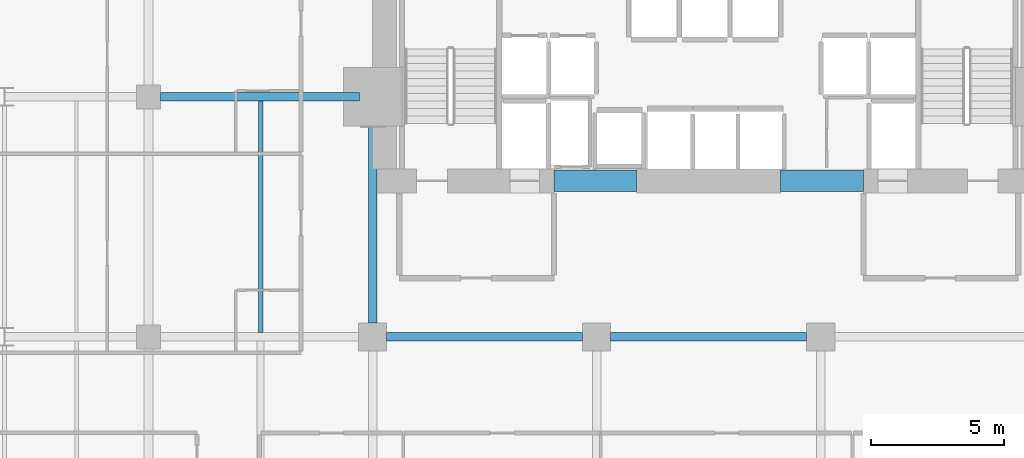
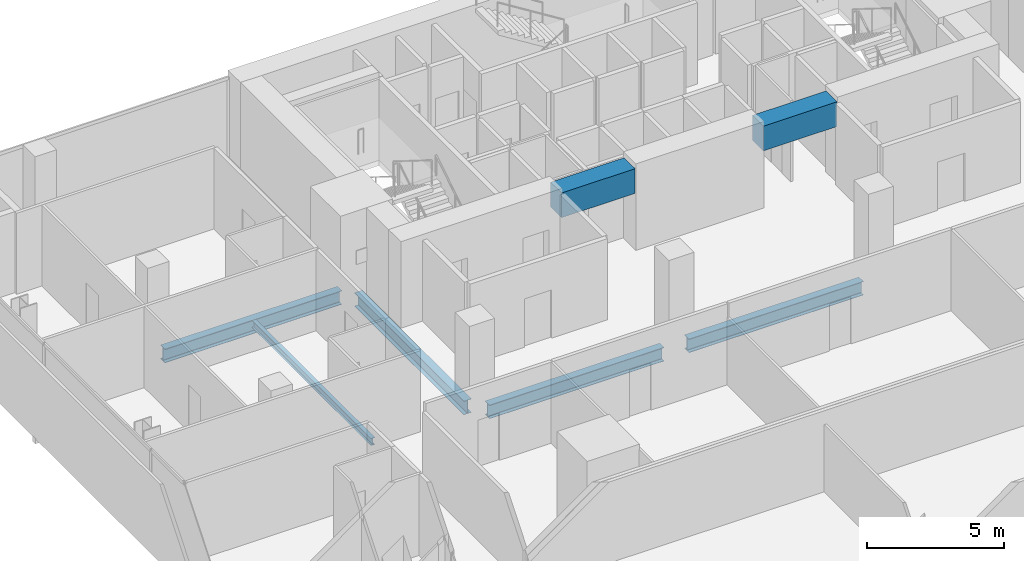
# One storey, part 24 of 40: 7 beams.
"""IFC4 building model written with IfcOpenShell, lengths in metres."""

from ifc_helpers import new_model, si_unit, direction, frame, origin, origin_2d, place, context, subcontext, project, spatial, rectangle, i_section, extrude, material, material_profile, profile_set, type_object, element, save


model = new_model("IFC4")

# Units and contexts
model_context = context("Model", 3, precision=1e-05, world=origin(), true_north=direction((0.0, 1.0)))
body_context = subcontext(model_context, "Body", "Model", "MODEL_VIEW")
ifc_project = project(units=[si_unit("LENGTHUNIT", "METRE"), si_unit("AREAUNIT", "SQUARE_METRE"), si_unit("VOLUMEUNIT", "CUBIC_METRE"), si_unit("PLANEANGLEUNIT", "RADIAN"), si_unit("MASSUNIT", "GRAM", prefix="KILO")], contexts=[model_context])

# Site, building, storey
site_placement = place(None, origin())
site = spatial("IfcSite", under=ifc_project, at=site_placement, CompositionType="ELEMENT")
building_placement = place(site_placement, origin())
building = spatial("IfcBuilding", under=site, at=building_placement, Name="Maruvema Waterfront Hotel and Observation Tower", CompositionType="ELEMENT")
storey_placement = place(building_placement, frame((0.0, 0.0, 103.949951171875)))
storey = spatial("IfcBuildingStorey", under=building, at=storey_placement, Name="L25", CompositionType="ELEMENT", Elevation=103.949951171875)

# Beams
ifc_material_1 = material(Name="Concrete C60/75", Category="concrete")
ifc_material_profile_1 = material_profile(ifc_material_1, rectangle(XDim=0.800048828125, YDim=1.10009765625, at=origin_2d()), Name="CB800x1100")
ifc_profile_set_1 = profile_set([ifc_material_profile_1], Name="Concrete C60/75")
beam_type_1 = type_object("IfcBeamType", Name="Core Coupling Lintel Beam CB800x1100", PredefinedType="LINTEL", material=ifc_profile_set_1)
for number, where, z_axis, x_axis, name in (
    (1, (32.0, 41.85009765625, 3.06005859375), (1.0, 0.0, 0.0), (0.0, 1.0, 0.0), "L25 Core Coupling Lintel Beam West"),
    (2, (40.5, 41.85009765625, 3.06005859375), (1.0, 0.0, 0.0), (0.0, 1.0, 0.0), "L25 Core Coupling Lintel Beam East"),
):
    element("IfcBeam", number, at=place(storey_placement, frame(where, z_axis=z_axis, x_axis=x_axis)), inside=storey, type_object=beam_type_1, Name=name, PredefinedType="LINTEL", context=body_context, shape_type="SweptSolid", body=[
        extrude(rectangle(XDim=0.800048828125, YDim=1.10009765625, at=origin_2d()), origin(), (0.0, 0.0, 1.0), 3.10009765625),
    ])
ifc_material_2 = material(Name="Steel ASTM A572 Grade 50", Category="steel")
ifc_material_profile_2 = material_profile(ifc_material_2, i_section(OverallWidth=0.323974609375, OverallDepth=0.611083984375, WebThickness=0.0126953125, FlangeThickness=0.01904296875, FilletRadius=0.01806640625, at=origin_2d()), Name="W610x155.0")
ifc_profile_set_2 = profile_set([ifc_material_profile_2], Name="Steel ASTM A572 Grade 50")
beam_type_2 = type_object("IfcBeamType", Name="Primary Floor Girder W610x155.0", PredefinedType="BEAM", material=ifc_profile_set_2)
beam_1_placement = place(storey_placement, frame((25.72509765625, 36.0, -0.54541015625), z_axis=(1.0, 0.0, 0.0), x_axis=(0.0, 1.0, 0.0)))
element("IfcBeam", 3, at=beam_1_placement, inside=storey, type_object=beam_type_2, Name="L25 Floor Girder EW-27", PredefinedType="BEAM", context=body_context, shape_type="SweptSolid", body=[
    extrude(i_section(OverallWidth=0.323974609375, OverallDepth=0.611083984375, WebThickness=0.0126953125, FlangeThickness=0.01904296875, FilletRadius=0.01806640625, at=origin_2d()), origin(), (0.0, 0.0, 1.0), 7.349853515625),
])
beam_2_placement = place(storey_placement, frame((34.125, 36.0, -0.54541015625), z_axis=(1.0, 0.0, 0.0), x_axis=(0.0, 1.0, 0.0)))
element("IfcBeam", 4, at=beam_2_placement, inside=storey, type_object=beam_type_2, Name="L25 Floor Girder EW-28", PredefinedType="BEAM", context=body_context, shape_type="SweptSolid", body=[
    extrude(i_section(OverallWidth=0.323974609375, OverallDepth=0.611083984375, WebThickness=0.0126953125, FlangeThickness=0.01904296875, FilletRadius=0.01806640625, at=origin_2d()), origin(), (0.0, 0.0, 1.0), 7.35009765625),
])
beam_3_placement = place(storey_placement, frame((17.25, 45.0, -0.54541015625), z_axis=(1.0, 0.0, 0.0), x_axis=(0.0, 1.0, 0.0)))
element("IfcBeam", 5, at=beam_3_placement, inside=storey, type_object=beam_type_2, Name="L25 Floor Girder EW-33", PredefinedType="BEAM", context=body_context, shape_type="SweptSolid", body=[
    extrude(i_section(OverallWidth=0.323974609375, OverallDepth=0.611083984375, WebThickness=0.0126953125, FlangeThickness=0.01904296875, FilletRadius=0.01806640625, at=origin_2d()), origin(), (0.0, 0.0, 1.0), 7.449951171875),
])
beam_4_placement = place(storey_placement, frame((25.199951171875, 36.52490234375, -0.54541015625), z_axis=(0.0, 1.0, 0.0), x_axis=(-1.0, 0.0, 0.0)))
element("IfcBeam", 6, at=beam_4_placement, inside=storey, type_object=beam_type_2, Name="L25 Floor Girder NS-15", PredefinedType="BEAM", context=body_context, shape_type="SweptSolid", body=[
    extrude(i_section(OverallWidth=0.323974609375, OverallDepth=0.611083984375, WebThickness=0.0126953125, FlangeThickness=0.01904296875, FilletRadius=0.01806640625, at=origin_2d()), origin(), (0.0, 0.0, 1.0), 7.97509765625),
])
ifc_material_3 = material(Name="Steel ASTM A572 Grade 50", Category="steel")
ifc_material_profile_3 = material_profile(ifc_material_3, i_section(OverallWidth=0.1669921875, OverallDepth=0.31689453125, WebThickness=0.007568359375, FlangeThickness=0.01318359375, FilletRadius=0.012939453125, at=origin_2d()), Name="W310x52.0")
ifc_profile_set_3 = profile_set([ifc_material_profile_3], Name="Steel ASTM A572 Grade 50")
beam_type_3 = type_object("IfcBeamType", Name="Secondary Floor Joist W310x52.0", PredefinedType="JOIST", material=ifc_profile_set_3)
beam_5_placement = place(storey_placement, frame((21.0, 36.162109375, -0.3984375), z_axis=(0.0, 1.0, 0.0), x_axis=(-1.0, 0.0, 0.0)))
element("IfcBeam", 7, at=beam_5_placement, inside=storey, type_object=beam_type_3, Name="L25 Secondary Floor Joist JS-09", PredefinedType="JOIST", context=body_context, shape_type="SweptSolid", body=[
    extrude(i_section(OverallWidth=0.1669921875, OverallDepth=0.31689453125, WebThickness=0.007568359375, FlangeThickness=0.01318359375, FilletRadius=0.012939453125, at=origin_2d()), origin(), (0.0, 0.0, 1.0), 8.67578125),
])

save(model, "model.ifc")
